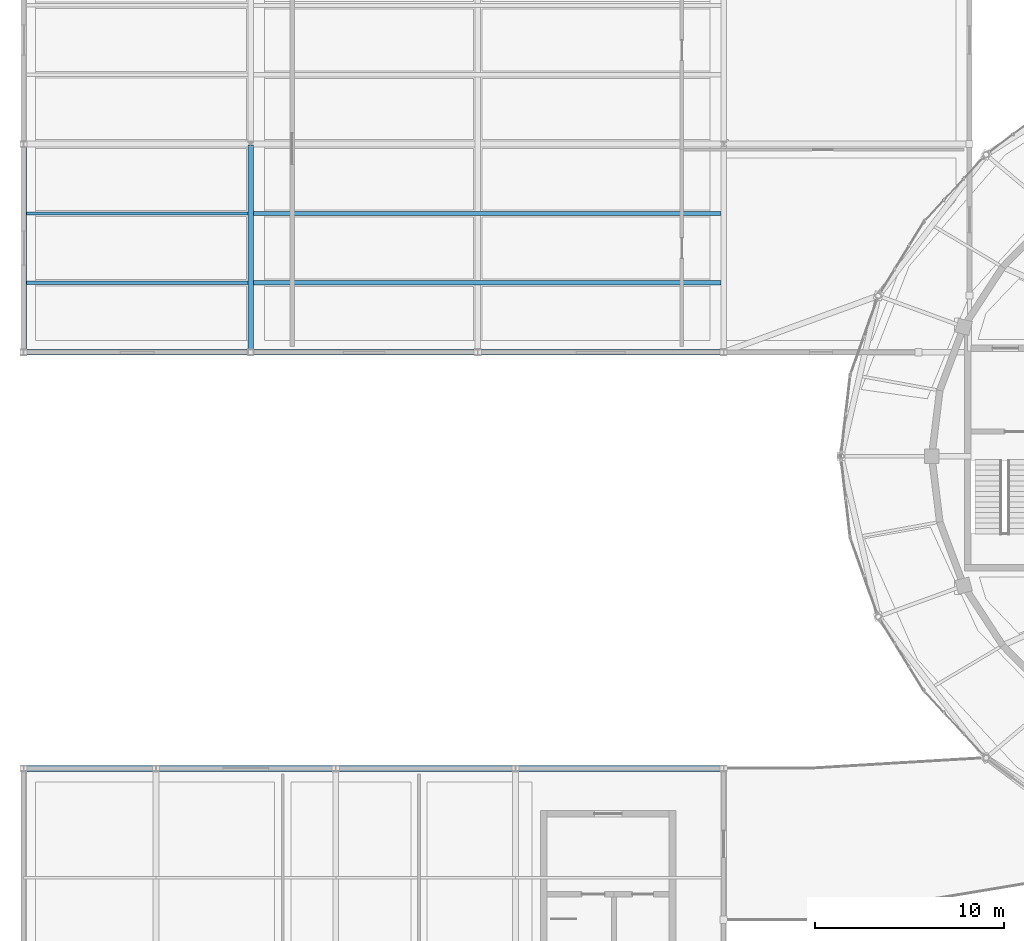
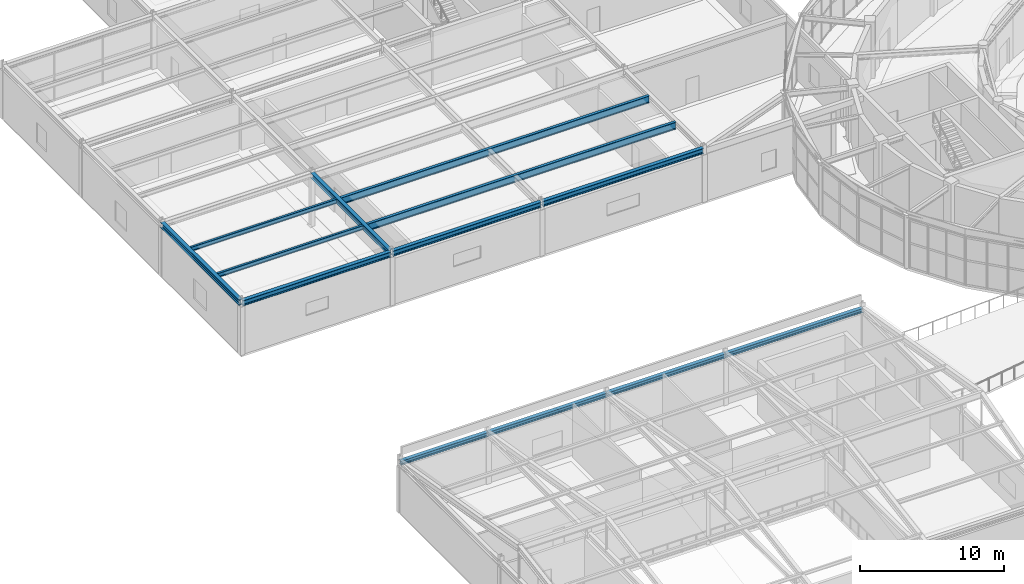
# One storey, part 28 of 108: 13 beams.
"""IFC4 building model written with IfcOpenShell, lengths in metres."""

from ifc_helpers import new_model, si_unit, direction, frame, origin, origin_2d, place, context, subcontext, project, spatial, i_section, extrude, material, material_profile, profile_set, type_object, element, save


model = new_model("IFC4")

# Units and contexts
model_context = context("Model", 3, precision=1e-05, world=origin(), true_north=direction((0.0, 1.0)))
body_context = subcontext(model_context, "Body", "Model", "MODEL_VIEW")
ifc_project = project(units=[si_unit("LENGTHUNIT", "METRE"), si_unit("AREAUNIT", "SQUARE_METRE"), si_unit("VOLUMEUNIT", "CUBIC_METRE"), si_unit("PLANEANGLEUNIT", "RADIAN"), si_unit("MASSUNIT", "GRAM", prefix="KILO")], contexts=[model_context])

# Site, building, storey
site_placement = place(None, origin())
site = spatial("IfcSite", under=ifc_project, at=site_placement, CompositionType="ELEMENT")
building_placement = place(site_placement, origin())
building = spatial("IfcBuilding", under=site, at=building_placement, Name="Tarnveldt Headland Concert Hall", CompositionType="ELEMENT")
storey_placement = place(building_placement, frame((0.0, 0.0, 9.60009765625)))
storey = spatial("IfcBuildingStorey", under=building, at=storey_placement, Name="L02", CompositionType="ELEMENT", Elevation=9.60009765625)

# Beams
ifc_material = material(Name="Steel S355", Category="steel")
ifc_material_profile_1 = material_profile(ifc_material, i_section(OverallWidth=0.300048828125, OverallDepth=0.35009765625, WebThickness=0.010009765625, FlangeThickness=0.017578125, FilletRadius=0.027099609375, at=origin_2d()), Name="HEA360", Category="steel")
ifc_profile_set_1 = profile_set([ifc_material_profile_1], Name="Steel S355")
beam_type_1 = type_object("IfcBeamType", Name="SB-HEA360", PredefinedType="SPANDREL", material=ifc_profile_set_1)
beam_1_placement = place(storey_placement, frame((7.5, 38.0, 4.159912109375), z_axis=(1.0, 0.0, 0.0), x_axis=(0.0, 1.0, 0.0)))
element("IfcBeam", 1, at=beam_1_placement, inside=storey, type_object=beam_type_1, Name="Chamber north eaves beam 1", PredefinedType="SPANDREL", context=body_context, shape_type="SweptSolid", body=[
    extrude(i_section(OverallWidth=0.300048828125, OverallDepth=0.35009765625, WebThickness=0.010009765625, FlangeThickness=0.017578125, FilletRadius=0.027099609375, at=origin_2d()), origin(), (0.0, 0.0, 1.0), 7.0),
])
for number, where, z_axis, x_axis, name in (
    (2, (14.5, 38.0, 4.159912109375), (1.0, 0.0, 0.0), (0.0, 1.0, 0.0), "Chamber north eaves beam 2"),
    (3, (24.0, 38.0, 4.159912109375), (1.0, 0.0, 0.0), (0.0, 1.0, 0.0), "Chamber north eaves beam 3"),
):
    element("IfcBeam", number, at=place(storey_placement, frame(where, z_axis=z_axis, x_axis=x_axis)), inside=storey, type_object=beam_type_1, Name=name, PredefinedType="SPANDREL", context=body_context, shape_type="SweptSolid", body=[
        extrude(i_section(OverallWidth=0.300048828125, OverallDepth=0.35009765625, WebThickness=0.010009765625, FlangeThickness=0.017578125, FilletRadius=0.027099609375, at=origin_2d()), origin(), (0.0, 0.0, 1.0), 9.5),
    ])
beam_2_placement = place(storey_placement, frame((33.5, 38.0, 4.159912109375), z_axis=(1.0, 0.0, 0.0), x_axis=(0.0, 1.0, 0.0)))
element("IfcBeam", 4, at=beam_2_placement, inside=storey, type_object=beam_type_1, Name="Chamber north eaves beam 4", PredefinedType="SPANDREL", context=body_context, shape_type="SweptSolid", body=[
    extrude(i_section(OverallWidth=0.300048828125, OverallDepth=0.35009765625, WebThickness=0.010009765625, FlangeThickness=0.017578125, FilletRadius=0.027099609375, at=origin_2d()), origin(), (0.0, 0.0, 1.0), 11.0),
])
ifc_material_profile_2 = material_profile(ifc_material, i_section(OverallWidth=0.300048828125, OverallDepth=0.449951171875, WebThickness=0.013916015625, FlangeThickness=0.02587890625, FilletRadius=0.027099609375, at=origin_2d()), Name="HEB450", Category="steel")
ifc_profile_set_2 = profile_set([ifc_material_profile_2], Name="Steel S355")
beam_type_2 = type_object("IfcBeamType", Name="SB-HEB450", PredefinedType="BEAM", material=ifc_profile_set_2)
for number, where, z_axis, x_axis, name in (
    (5, (7.56005859375, 60.0, 4.324951171875), (1.0, 0.0, 0.0), (0.0, 1.0, 0.0), "Framing beam L02-1166"),
    (6, (19.56005859375, 60.0, 4.324951171875), (1.0, 0.0, 0.0), (0.0, 1.0, 0.0), "Framing beam L02-1167"),
):
    element("IfcBeam", number, at=place(storey_placement, frame(where, z_axis=z_axis, x_axis=x_axis)), inside=storey, type_object=beam_type_2, Name=name, PredefinedType="BEAM", context=body_context, shape_type="SweptSolid", body=[
        extrude(i_section(OverallWidth=0.300048828125, OverallDepth=0.449951171875, WebThickness=0.013916015625, FlangeThickness=0.02587890625, FilletRadius=0.027099609375, at=origin_2d()), origin(), (0.0, 0.0, 1.0), 11.8798828125),
    ])
beam_3_placement = place(storey_placement, frame((31.56005859375, 60.0, 4.324951171875), z_axis=(1.0, 0.0, 0.0), x_axis=(0.0, 1.0, 0.0)))
element("IfcBeam", 7, at=beam_3_placement, inside=storey, type_object=beam_type_2, Name="Framing beam L02-1168", PredefinedType="BEAM", context=body_context, shape_type="SweptSolid", body=[
    extrude(i_section(OverallWidth=0.300048828125, OverallDepth=0.449951171875, WebThickness=0.013916015625, FlangeThickness=0.02587890625, FilletRadius=0.027099609375, at=origin_2d()), origin(), (0.0, 0.0, 1.0), 12.8798828125),
])
for number, where, z_axis, x_axis, name in (
    (8, (7.5, 60.06005859375, 4.324951171875), (0.0, 1.0, 0.0), (-1.0, 0.0, 0.0), "Framing beam L02-1182"),
    (9, (19.5, 60.06005859375, 4.324951171875), (0.0, 1.0, 0.0), (-1.0, 0.0, 0.0), "Framing beam L02-1191"),
):
    element("IfcBeam", number, at=place(storey_placement, frame(where, z_axis=z_axis, x_axis=x_axis)), inside=storey, type_object=beam_type_2, Name=name, PredefinedType="BEAM", context=body_context, shape_type="SweptSolid", body=[
        extrude(i_section(OverallWidth=0.300048828125, OverallDepth=0.449951171875, WebThickness=0.013916015625, FlangeThickness=0.02587890625, FilletRadius=0.027099609375, at=origin_2d()), origin(), (0.0, 0.0, 1.0), 10.8798828125),
    ])
ifc_material_profile_3 = material_profile(ifc_material, i_section(OverallWidth=0.169921875, OverallDepth=0.360107421875, WebThickness=0.008056640625, FlangeThickness=0.0126953125, FilletRadius=0.01806640625, at=origin_2d()), Name="IPE360", Category="steel")
ifc_profile_set_3 = profile_set([ifc_material_profile_3], Name="Steel S355")
beam_type_3 = type_object("IfcBeamType", Name="SB-IPE360", PredefinedType="JOIST", material=ifc_profile_set_3)
for number, where, z_axis, x_axis, name in (
    (10, (7.64990234375, 63.6669921875, 4.369873046875), (1.0, 0.0, 0.0), (0.0, 1.0, 0.0), "Framing beam L02-1183"),
    (11, (7.64990234375, 67.3330078125, 4.369873046875), (1.0, 0.0, 0.0), (0.0, 1.0, 0.0), "Framing beam L02-1184"),
):
    element("IfcBeam", number, at=place(storey_placement, frame(where, z_axis=z_axis, x_axis=x_axis)), inside=storey, type_object=beam_type_3, Name=name, PredefinedType="JOIST", context=body_context, shape_type="SweptSolid", body=[
        extrude(i_section(OverallWidth=0.169921875, OverallDepth=0.360107421875, WebThickness=0.008056640625, FlangeThickness=0.0126953125, FilletRadius=0.01806640625, at=origin_2d()), origin(), (0.0, 0.0, 1.0), 11.7001953125),
    ])
ifc_material_profile_4 = material_profile(ifc_material, i_section(OverallWidth=0.219970703125, OverallDepth=0.60009765625, WebThickness=0.011962890625, FlangeThickness=0.01904296875, FilletRadius=0.02392578125, at=origin_2d()), Name="IPE600", Category="steel")
ifc_profile_set_4 = profile_set([ifc_material_profile_4], Name="Steel S355")
beam_type_4 = type_object("IfcBeamType", Name="SB-IPE600", PredefinedType="BEAM", material=ifc_profile_set_4)
for number, where, z_axis, x_axis, name in (
    (12, (19.64990234375, 63.6669921875, 4.25), (1.0, 0.0, 0.0), (0.0, 1.0, 0.0), "Framing beam L02-1192"),
    (13, (19.64990234375, 67.3330078125, 4.25), (1.0, 0.0, 0.0), (0.0, 1.0, 0.0), "Framing beam L02-1193"),
):
    element("IfcBeam", number, at=place(storey_placement, frame(where, z_axis=z_axis, x_axis=x_axis)), inside=storey, type_object=beam_type_4, Name=name, PredefinedType="BEAM", context=body_context, shape_type="SweptSolid", body=[
        extrude(i_section(OverallWidth=0.219970703125, OverallDepth=0.60009765625, WebThickness=0.011962890625, FlangeThickness=0.01904296875, FilletRadius=0.02392578125, at=origin_2d()), origin(), (0.0, 0.0, 1.0), 24.7001953125),
    ])

save(model, "model.ifc")
